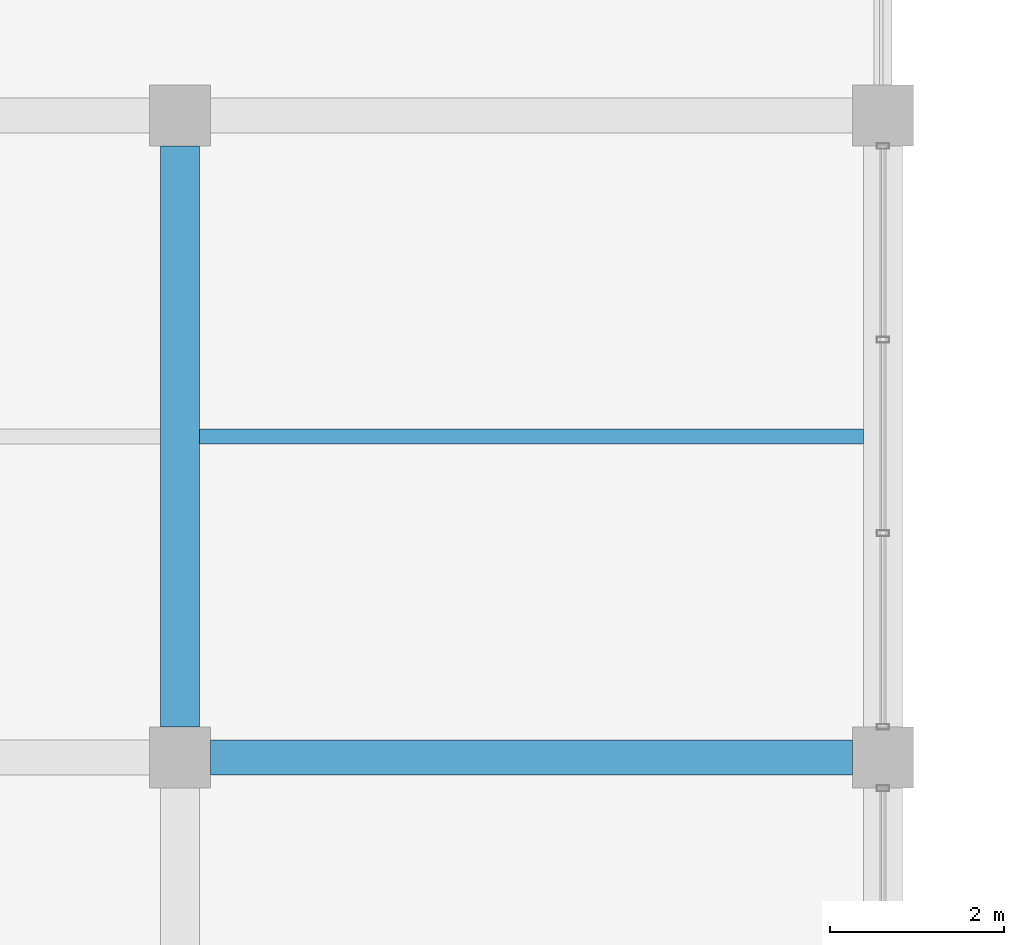
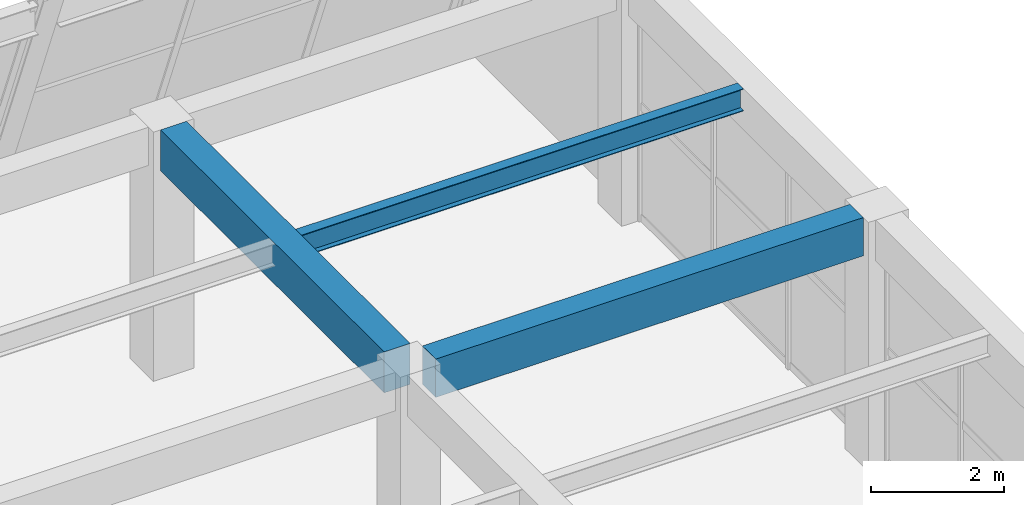
# One storey, part 79 of 161: 3 beams.
"""IFC4 building model written with IfcOpenShell, lengths in metres."""

from ifc_helpers import new_model, si_unit, direction, frame, origin, origin_2d, place, context, subcontext, project, spatial, rectangle, i_section, extrude, material, material_profile, profile_set, type_object, element, save


model = new_model("IFC4")

# Units and contexts
model_context = context("Model", 3, precision=1e-05, world=origin(), true_north=direction((0.0, 1.0)))
body_context = subcontext(model_context, "Body", "Model", "MODEL_VIEW")
ifc_project = project(units=[si_unit("LENGTHUNIT", "METRE"), si_unit("AREAUNIT", "SQUARE_METRE"), si_unit("VOLUMEUNIT", "CUBIC_METRE"), si_unit("PLANEANGLEUNIT", "RADIAN"), si_unit("MASSUNIT", "GRAM", prefix="KILO")], contexts=[model_context])

# Site, building, storey
site_placement = place(None, origin())
site = spatial("IfcSite", under=ifc_project, at=site_placement, CompositionType="ELEMENT")
building_placement = place(site_placement, origin())
building = spatial("IfcBuilding", under=site, at=building_placement, Name="Cimatlan Art Gallery", CompositionType="ELEMENT")
storey_placement = place(building_placement, frame((0.0, 0.0, 5.39990234375)))
storey = spatial("IfcBuildingStorey", under=building, at=storey_placement, Name="L01", CompositionType="ELEMENT", Elevation=5.39990234375)

# Beams
ifc_material_1 = material(Name="Concrete C40/50", Category="concrete")
ifc_material_profile_1 = material_profile(ifc_material_1, rectangle(XDim=0.39990234375, YDim=0.699951171875, at=origin_2d()), Name="RC400X700")
ifc_profile_set_1 = profile_set([ifc_material_profile_1], Name="Concrete C40/50")
beam_type_1 = type_object("IfcBeamType", Name="BM-RC-400X700", PredefinedType="BEAM", material=ifc_profile_set_1)
beam_1_placement = place(storey_placement, frame((42.85009765625, 90.5, 4.210205078125), z_axis=(1.0, 0.0, 0.0), x_axis=(0.0, 1.0, 0.0)))
element("IfcBeam", 1, at=beam_1_placement, inside=storey, type_object=beam_type_1, Name="BM-X-L01-05-12", PredefinedType="BEAM", context=body_context, shape_type="SweptSolid", body=[
    extrude(rectangle(XDim=0.39990234375, YDim=0.699951171875, at=origin_2d()), origin(), (0.0, 0.0, 1.0), 7.39990234375),
])
ifc_material_profile_2 = material_profile(ifc_material_1, rectangle(XDim=0.449951171875, YDim=0.75, at=origin_2d()), Name="RC450X750")
ifc_profile_set_2 = profile_set([ifc_material_profile_2], Name="Concrete C40/50")
beam_type_2 = type_object("IfcBeamType", Name="BM-RC-450X750", PredefinedType="BEAM", material=ifc_profile_set_2)
beam_2_placement = place(storey_placement, frame((42.5, 90.85009765625, 4.18505859375), z_axis=(0.0, 1.0, 0.0), x_axis=(-1.0, 0.0, 0.0)))
element("IfcBeam", 2, at=beam_2_placement, inside=storey, type_object=beam_type_2, Name="BM-Y-L01-05-12", PredefinedType="BEAM", context=body_context, shape_type="SweptSolid", body=[
    extrude(rectangle(XDim=0.449951171875, YDim=0.75, at=origin_2d()), origin(), (0.0, 0.0, 1.0), 6.699951171875),
])
ifc_material_2 = material(Name="Steel ASTM A992 Grade 50", Category="steel")
ifc_material_profile_3 = material_profile(ifc_material_2, i_section(OverallWidth=0.177978515625, OverallDepth=0.406982421875, WebThickness=0.0078125, FlangeThickness=0.0126953125, at=origin_2d()), Name="W16X40")
ifc_profile_set_3 = profile_set([ifc_material_profile_3], Name="Steel ASTM A992 Grade 50")
beam_type_3 = type_object("IfcBeamType", Name="BM-STL-W16X40", PredefinedType="JOIST", material=ifc_profile_set_3)
beam_3_placement = place(storey_placement, frame((42.72509765625, 94.199951171875, 4.356689453125), z_axis=(1.0, 0.0, 0.0), x_axis=(0.0, 1.0, 0.0)))
element("IfcBeam", 3, at=beam_3_placement, inside=storey, type_object=beam_type_3, Name="JST-L01-05-12", PredefinedType="JOIST", context=body_context, shape_type="SweptSolid", body=[
    extrude(i_section(OverallWidth=0.177978515625, OverallDepth=0.406982421875, WebThickness=0.0078125, FlangeThickness=0.0126953125, at=origin_2d()), origin(), (0.0, 0.0, 1.0), 7.64990234375),
])

save(model, "model.ifc")
